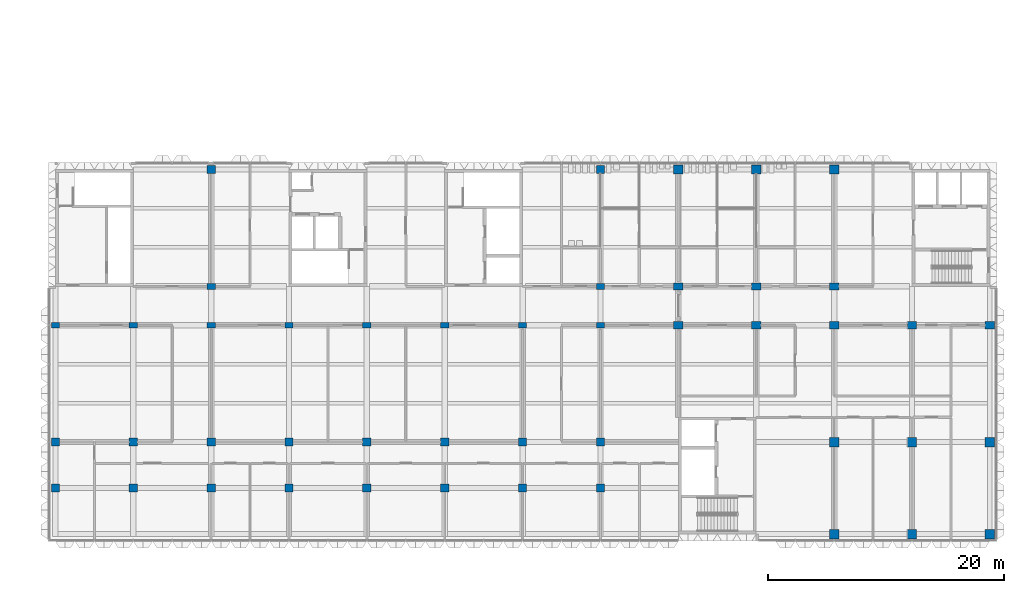
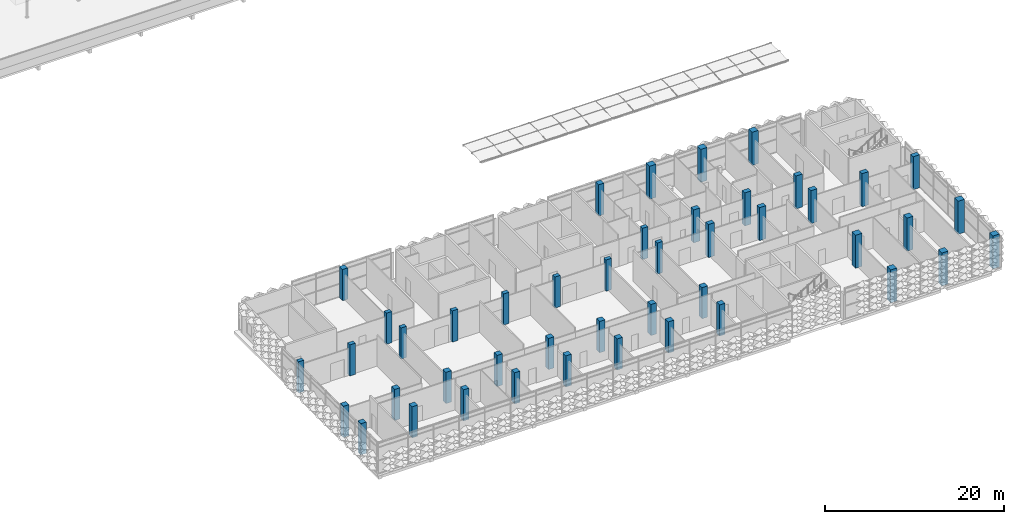
# One storey, part 1 of 61: 45 columns.
"""IFC4 building model written with IfcOpenShell, lengths in metres."""

import ifcopenshell
import ifcopenshell.guid

model = None  # the IFC model being written
_history = None  # IfcOwnerHistory: only IFC2X3 demands one
_inside = {}  # id of a spatial element -> (the spatial element, [elements in it])
_under = {}  # id of a project, library or spatial element -> (it, [spatial elements below it])
_declared = {}  # id of a project -> (the project, [libraries it declares])
_typed = {}  # id of a type object -> (the type object, [elements of that type])
_made_of = {}  # id of a material, layer set ... -> (it, [elements and type objects made of it])


def new_model(schema):
    """Start an empty IFC model of exactly this schema.

    Asked for "IFC4X3", IfcOpenShell would pick the latest addendum, in which some entities
    have other attributes; the version numbers below select the first issue.
    IFC2X3 requires an IfcOwnerHistory on every rooted entity: one is made here for all.
    """
    global model, _history
    if schema == "IFC4X3":
        model = ifcopenshell.file(schema_version=(4, 3, 0, 0))
    else:
        model = ifcopenshell.file(schema=schema)
    _inside.clear()
    _under.clear()
    _declared.clear()
    _typed.clear()
    _made_of.clear()
    _history = None
    if model.schema == "IFC2X3":
        org = make("IfcOrganization", Name="unknown")
        user = make(
            "IfcPersonAndOrganization",
            ThePerson=make("IfcPerson", FamilyName="unknown"),
            TheOrganization=org,
        )
        app = make(
            "IfcApplication",
            ApplicationDeveloper=org,
            Version="unknown",
            ApplicationFullName="unknown",
            ApplicationIdentifier="unknown",
        )
        _history = make(
            "IfcOwnerHistory",
            OwningUser=user,
            OwningApplication=app,
            ChangeAction="ADDED",
            CreationDate=0,
        )
    return model


def make(cls, **values):
    """One entity of the class cls with the attributes given. An attribute that is None is left unset."""
    return model.create_entity(
        cls, **{name: value for name, value in values.items() if value is not None}
    )


def rooted(cls, **values):
    """An entity with a GlobalId (a new one), such as an element, a storey or a relation."""
    return make(cls, GlobalId=ifcopenshell.guid.new(), OwnerHistory=_history, **values)


def si_unit(unit_type, name, prefix=None):
    """IfcSIUnit, for example si_unit("LENGTHUNIT", "METRE", prefix="MILLI")."""
    return make("IfcSIUnit", UnitType=unit_type, Prefix=prefix, Name=name)


def assignment(units):
    """IfcUnitAssignment: the units of a project."""
    return None if units is None else make("IfcUnitAssignment", Units=units)


def point(xyz):
    """IfcCartesianPoint."""
    return None if xyz is None else make("IfcCartesianPoint", Coordinates=xyz)


def direction(xyz):
    """IfcDirection."""
    return None if xyz is None else make("IfcDirection", DirectionRatios=xyz)


def frame(location, z_axis=None, x_axis=None):
    """IfcAxis2Placement3D, a coordinate frame: its origin and axes. An axis left out is left unset."""
    return make(
        "IfcAxis2Placement3D",
        Location=point(location),
        Axis=direction(z_axis),
        RefDirection=direction(x_axis),
    )


def frame_2d(location, x_axis=None):
    """IfcAxis2Placement2D, a coordinate frame in the plane: its origin and x axis."""
    return make(
        "IfcAxis2Placement2D", Location=point(location), RefDirection=direction(x_axis)
    )


def origin():
    """The frame at (0, 0, 0) with its axes left unset."""
    return frame((0.0, 0.0, 0.0))


def origin_2d():
    """The frame at (0, 0) in the plane with its x axis left unset."""
    return frame_2d((0.0, 0.0))


def place(relative_to, where):
    """IfcLocalPlacement: puts the frame where relative to a parent placement (None: the world)."""
    return make(
        "IfcLocalPlacement", PlacementRelTo=relative_to, RelativePlacement=where
    )


def context(
    kind, dimensions, precision=None, world=None, true_north=None, identifier=None
):
    """IfcGeometricRepresentationContext, for example the 3D "Model" context."""
    return make(
        "IfcGeometricRepresentationContext",
        ContextIdentifier=identifier,
        ContextType=kind,
        CoordinateSpaceDimension=dimensions,
        Precision=precision,
        WorldCoordinateSystem=world,
        TrueNorth=true_north,
    )


def subcontext(parent, identifier, kind, view, scale=None):
    """IfcGeometricRepresentationSubContext, for example "Body" below "Model"."""
    return make(
        "IfcGeometricRepresentationSubContext",
        ContextIdentifier=identifier,
        ContextType=kind,
        ParentContext=parent,
        TargetScale=scale,
        TargetView=view,
    )


def project(units=None, contexts=None):
    """IfcProject with its units and contexts."""
    return rooted(
        "IfcProject",
        Name="project",
        RepresentationContexts=contexts,
        UnitsInContext=assignment(units),
    )


def spatial(cls, under=None, at=None, **own):
    """A site, building, storey or space (cls), placed at a placement, below another one or the project."""
    s = rooted(cls, ObjectPlacement=at, **own)
    if under is not None:
        _under.setdefault(under.id(), (under, []))[1].append(s)
    return s


def profile(cls, at=None, kind="AREA", **sizes):
    """A parametric profile (cls). Its sizes go by their IFC names, for example OverallWidth=200.0."""
    return make(cls, ProfileType=kind, Position=at, **sizes)


def rectangle(**sizes):
    """IfcRectangleProfileDef."""
    return profile("IfcRectangleProfileDef", **sizes)


def extrude(swept, where, along, depth):
    """IfcExtrudedAreaSolid: the profile swept, set in the frame where, extruded along a direction by depth."""
    return make(
        "IfcExtrudedAreaSolid",
        SweptArea=swept,
        Position=where,
        ExtrudedDirection=direction(along),
        Depth=depth,
    )


def shape(context_of_items, identifier, shape_type, items):
    """IfcShapeRepresentation: the items that make up one representation, for example the "Body"."""
    return make(
        "IfcShapeRepresentation",
        ContextOfItems=context_of_items,
        RepresentationIdentifier=identifier,
        RepresentationType=shape_type,
        Items=items,
    )


def material(Name=None, Category=None):
    """IfcMaterial."""
    return make("IfcMaterial", Name=Name, Category=Category)


def material_profile(
    of_material, cross_section, Name=None, Category=None, Priority=None
):
    """IfcMaterialProfile: a cross section and its material."""
    return make(
        "IfcMaterialProfile",
        Name=Name,
        Material=of_material,
        Profile=cross_section,
        Priority=Priority,
        Category=Category,
    )


def profile_set(profiles, Name=None, composite=None):
    """IfcMaterialProfileSet."""
    return make(
        "IfcMaterialProfileSet",
        Name=Name,
        MaterialProfiles=profiles,
        CompositeProfile=composite,
    )


def made_of(thing, what):
    """Note that an element or type object is made of a material, layer set ...; save() writes the relation."""
    if what is not None:
        _made_of.setdefault(what.id(), (what, []))[1].append(thing)
    return thing


def type_object(cls, material=None, **own):
    """A type object (cls), such as IfcWallType, which elements share."""
    return made_of(rooted(cls, **own), material)


def element(
    cls,
    number,
    at=None,
    inside=None,
    cuts=None,
    type_object=None,
    material=None,
    context=None,
    identifier="Body",
    shape_type=None,
    held_by="IfcProductDefinitionShape",
    body=None,
    shapes=None,
    **own,
):
    """One element of the class cls, such as IfcWall. Its Tag is "e" and its number.

    at: its placement. inside: the storey or other place that contains it. cuts: it is an
    opening in that element (IfcRelVoidsElement). A single representation is given by context,
    identifier, shape_type and body (its items); several are given by shapes. held_by: the class
    of the entity that holds the representations. save() writes the other relations.
    """
    e = rooted(cls, Tag="e%d" % number, ObjectPlacement=at, **own)
    if body is not None:
        shapes = [shape(context, identifier, shape_type, body)]
    if shapes is not None:
        e.Representation = make(held_by, Representations=shapes)
    if inside is not None:
        _inside.setdefault(inside.id(), (inside, []))[1].append(e)
    if cuts is not None:
        rooted(
            "IfcRelVoidsElement", RelatingBuildingElement=cuts, RelatedOpeningElement=e
        )
    if type_object is not None:
        _typed.setdefault(type_object.id(), (type_object, []))[1].append(e)
    return made_of(e, material)


def aggregate(whole, parts):
    """IfcRelAggregates: a whole, such as a stair, and the parts it consists of."""
    return rooted("IfcRelAggregates", RelatingObject=whole, RelatedObjects=parts)


def save(model, path):
    """Write the relations noted so far, then the file.

    IfcRelAggregates (storeys below a building ...), IfcRelContainedInSpatialStructure (elements
    in a storey), IfcRelDefinesByType, IfcRelAssociatesMaterial and IfcRelDeclares: one each for
    every whole, place, type object, material and project.
    """
    for whole, parts in _under.values():
        aggregate(whole, parts)
    for where, things in _inside.values():
        rooted(
            "IfcRelContainedInSpatialStructure",
            RelatedElements=things,
            RelatingStructure=where,
        )
    for kind, things in _typed.values():
        rooted("IfcRelDefinesByType", RelatedObjects=things, RelatingType=kind)
    for what, things in _made_of.values():
        rooted("IfcRelAssociatesMaterial", RelatedObjects=things, RelatingMaterial=what)
    for by, libraries in _declared.values():
        rooted("IfcRelDeclares", RelatingContext=by, RelatedDefinitions=libraries)
    model.write(path)


model = new_model("IFC4")

# Units and contexts
model_context = context("Model", 3, precision=1e-05, world=origin(), true_north=direction((0.0, 1.0)))
body_context = subcontext(model_context, "Body", "Model", "MODEL_VIEW")
ifc_project = project(units=[si_unit("LENGTHUNIT", "METRE"), si_unit("AREAUNIT", "SQUARE_METRE"), si_unit("VOLUMEUNIT", "CUBIC_METRE"), si_unit("PLANEANGLEUNIT", "RADIAN"), si_unit("MASSUNIT", "GRAM", prefix="KILO")], contexts=[model_context])

# Site, building, storey
site_placement = place(None, origin())
site = spatial("IfcSite", under=ifc_project, at=site_placement, CompositionType="ELEMENT")
building_placement = place(site_placement, origin())
building = spatial("IfcBuilding", under=site, at=building_placement, Name="Lantern Court Research Institute", CompositionType="ELEMENT")
storey_placement = place(building_placement, frame((0.0, 0.0, 23.39990234375)))
storey = spatial("IfcBuildingStorey", under=building, at=storey_placement, Name="L05", CompositionType="ELEMENT", Elevation=23.39990234375)

# Columns
ifc_material_1 = material(Name="Concrete C40/50", Category="concrete")
ifc_material_profile_1 = material_profile(ifc_material_1, rectangle(XDim=0.699951171875, YDim=0.5, at=origin_2d()), Name="RC column 700 x 500")
ifc_profile_set_1 = profile_set([ifc_material_profile_1], Name="Concrete C40/50")
column_type_1 = type_object("IfcColumnType", Name="RC column 700 x 500", PredefinedType="COLUMN", material=ifc_profile_set_1)
for number, where, z_axis, x_axis, name in (
    (1, (0.0, 9.89990234375, 0.0), (0.0, 0.0, 1.0), (1.0, 0.0, 0.0), "Column L05 grid 1/B"),
    (2, (6.60009765625, 9.89990234375, 0.0), (0.0, 0.0, 1.0), (1.0, 0.0, 0.0), "Column L05 grid 2/B"),
    (3, (13.199951171875, 9.89990234375, 0.0), (0.0, 0.0, 1.0), (1.0, 0.0, 0.0), "Column L05 grid 3/B"),
    (4, (13.199951171875, 13.199951171875, 0.0), (0.0, 0.0, 1.0), (1.0, 0.0, 0.0), "Column L05 grid 3/C"),
    (5, (19.800048828125, 9.89990234375, 0.0), (0.0, 0.0, 1.0), (1.0, 0.0, 0.0), "Column L05 grid 4/B"),
    (6, (26.39990234375, 9.89990234375, 0.0), (0.0, 0.0, 1.0), (1.0, 0.0, 0.0), "Column L05 grid 5/B"),
    (7, (33.0, 9.89990234375, 0.0), (0.0, 0.0, 1.0), (1.0, 0.0, 0.0), "Column L05 grid 6/B"),
    (8, (39.60009765625, 9.89990234375, 0.0), (0.0, 0.0, 1.0), (1.0, 0.0, 0.0), "Column L05 grid 7/B"),
    (9, (46.199951171875, 9.89990234375, 0.0), (0.0, 0.0, 1.0), (1.0, 0.0, 0.0), "Column L05 grid 8/B"),
    (10, (46.199951171875, 13.199951171875, 0.0), (0.0, 0.0, 1.0), (1.0, 0.0, 0.0), "Column L05 grid 8/C"),
):
    element("IfcColumn", number, at=place(storey_placement, frame(where, z_axis=z_axis, x_axis=x_axis)), inside=storey, type_object=column_type_1, Name=name, PredefinedType="COLUMN", context=body_context, shape_type="SweptSolid", body=[
        extrude(rectangle(XDim=0.699951171875, YDim=0.5, at=origin_2d()), origin(), (0.0, 0.0, 1.0), 4.25),
    ])
ifc_material_2 = material(Name="Concrete C40/50", Category="concrete")
ifc_material_profile_2 = material_profile(ifc_material_2, rectangle(XDim=0.699951171875, YDim=0.699951171875, at=origin_2d()), Name="RC column 700 x 700")
ifc_profile_set_2 = profile_set([ifc_material_profile_2], Name="Concrete C40/50")
column_type_2 = type_object("IfcColumnType", Name="RC column 700 x 700", PredefinedType="COLUMN", material=ifc_profile_set_2)
for number, where, z_axis, x_axis, name in (
    (11, (0.0, 0.0, 0.0), (0.0, 0.0, 1.0), (1.0, 0.0, 0.0), "Column L05 grid 1/A"),
    (12, (6.60009765625, 0.0, 0.0), (0.0, 0.0, 1.0), (1.0, 0.0, 0.0), "Column L05 grid 2/A"),
    (13, (13.199951171875, 0.0, 0.0), (0.0, 0.0, 1.0), (1.0, 0.0, 0.0), "Column L05 grid 3/A"),
    (14, (13.199951171875, 23.10009765625, 0.0), (0.0, 0.0, 1.0), (1.0, 0.0, 0.0), "Column L05 grid 3/D"),
    (15, (19.800048828125, 0.0, 0.0), (0.0, 0.0, 1.0), (1.0, 0.0, 0.0), "Column L05 grid 4/A"),
    (16, (26.39990234375, 0.0, 0.0), (0.0, 0.0, 1.0), (1.0, 0.0, 0.0), "Column L05 grid 5/A"),
    (17, (33.0, 0.0, 0.0), (0.0, 0.0, 1.0), (1.0, 0.0, 0.0), "Column L05 grid 6/A"),
    (18, (39.60009765625, 0.0, 0.0), (0.0, 0.0, 1.0), (1.0, 0.0, 0.0), "Column L05 grid 7/A"),
    (19, (46.199951171875, 0.0, 0.0), (0.0, 0.0, 1.0), (1.0, 0.0, 0.0), "Column L05 grid 8/A"),
    (20, (46.199951171875, 23.10009765625, 0.0), (0.0, 0.0, 1.0), (1.0, 0.0, 0.0), "Column L05 grid 8/D"),
    (21, (0.0, -3.89990234375, 0.0), (0.0, 0.0, 1.0), (1.0, 0.0, 0.0), "Column L05 grid 1/Y"),
    (22, (6.60009765625, -3.89990234375, 0.0), (0.0, 0.0, 1.0), (1.0, 0.0, 0.0), "Column L05 grid 2/Y"),
    (23, (13.199951171875, -3.89990234375, 0.0), (0.0, 0.0, 1.0), (1.0, 0.0, 0.0), "Column L05 grid 3/Y"),
    (24, (19.800048828125, -3.89990234375, 0.0), (0.0, 0.0, 1.0), (1.0, 0.0, 0.0), "Column L05 grid 4/Y"),
    (25, (26.39990234375, -3.89990234375, 0.0), (0.0, 0.0, 1.0), (1.0, 0.0, 0.0), "Column L05 grid 5/Y"),
    (26, (33.0, -3.89990234375, 0.0), (0.0, 0.0, 1.0), (1.0, 0.0, 0.0), "Column L05 grid 6/Y"),
    (27, (39.60009765625, -3.89990234375, 0.0), (0.0, 0.0, 1.0), (1.0, 0.0, 0.0), "Column L05 grid 7/Y"),
    (28, (46.199951171875, -3.89990234375, 0.0), (0.0, 0.0, 1.0), (1.0, 0.0, 0.0), "Column L05 grid 8/Y"),
):
    element("IfcColumn", number, at=place(storey_placement, frame(where, z_axis=z_axis, x_axis=x_axis)), inside=storey, type_object=column_type_2, Name=name, PredefinedType="COLUMN", context=body_context, shape_type="SweptSolid", body=[
        extrude(rectangle(XDim=0.699951171875, YDim=0.699951171875, at=origin_2d()), origin(), (0.0, 0.0, 1.0), 4.25),
    ])
ifc_material_3 = material(Name="Concrete C40/50", Category="concrete")
ifc_material_profile_3 = material_profile(ifc_material_3, rectangle(XDim=0.800048828125, YDim=0.60009765625, at=origin_2d()), Name="RC column 800 x 600")
ifc_profile_set_3 = profile_set([ifc_material_profile_3], Name="Concrete C40/50")
column_type_3 = type_object("IfcColumnType", Name="RC column 800 x 600", PredefinedType="COLUMN", material=ifc_profile_set_3)
for number, where, z_axis, x_axis, name in (
    (29, (52.800048828125, 9.89990234375, 0.0), (0.0, 0.0, 1.0), (1.0, 0.0, 0.0), "Column L05 grid 9/B"),
    (30, (52.800048828125, 13.199951171875, 0.0), (0.0, 0.0, 1.0), (1.0, 0.0, 0.0), "Column L05 grid 9/C"),
    (31, (59.39990234375, 9.89990234375, 0.0), (0.0, 0.0, 1.0), (1.0, 0.0, 0.0), "Column L05 grid 10/B"),
    (32, (59.39990234375, 13.199951171875, 0.0), (0.0, 0.0, 1.0), (1.0, 0.0, 0.0), "Column L05 grid 10/C"),
    (33, (66.0, 9.89990234375, 0.0), (0.0, 0.0, 1.0), (1.0, 0.0, 0.0), "Column L05 grid 11/B"),
    (34, (66.0, 13.199951171875, 0.0), (0.0, 0.0, 1.0), (1.0, 0.0, 0.0), "Column L05 grid 11/C"),
    (35, (72.60009765625, 9.89990234375, 0.0), (0.0, 0.0, 1.0), (1.0, 0.0, 0.0), "Column L05 grid 12/B"),
    (36, (79.199951171875, 9.89990234375, 0.0), (0.0, 0.0, 1.0), (1.0, 0.0, 0.0), "Column L05 grid 13/B"),
):
    element("IfcColumn", number, at=place(storey_placement, frame(where, z_axis=z_axis, x_axis=x_axis)), inside=storey, type_object=column_type_3, Name=name, PredefinedType="COLUMN", context=body_context, shape_type="SweptSolid", body=[
        extrude(rectangle(XDim=0.800048828125, YDim=0.60009765625, at=origin_2d()), origin(), (0.0, 0.0, 1.0), 4.5),
    ])
ifc_material_4 = material(Name="Concrete C40/50", Category="concrete")
ifc_material_profile_4 = material_profile(ifc_material_4, rectangle(XDim=0.800048828125, YDim=0.800048828125, at=origin_2d()), Name="RC column 800 x 800")
ifc_profile_set_4 = profile_set([ifc_material_profile_4], Name="Concrete C40/50")
column_type_4 = type_object("IfcColumnType", Name="RC column 800 x 800", PredefinedType="COLUMN", material=ifc_profile_set_4)
for number, where, z_axis, x_axis, name in (
    (37, (52.800048828125, 23.10009765625, 0.0), (0.0, 0.0, 1.0), (1.0, 0.0, 0.0), "Column L05 grid 9/D"),
    (38, (59.39990234375, 23.10009765625, 0.0), (0.0, 0.0, 1.0), (1.0, 0.0, 0.0), "Column L05 grid 10/D"),
    (39, (66.0, -7.800048828125, 0.0), (0.0, 0.0, 1.0), (1.0, 0.0, 0.0), "Column L05 grid 11/Z"),
    (40, (66.0, 0.0, 0.0), (0.0, 0.0, 1.0), (1.0, 0.0, 0.0), "Column L05 grid 11/A"),
    (41, (66.0, 23.10009765625, 0.0), (0.0, 0.0, 1.0), (1.0, 0.0, 0.0), "Column L05 grid 11/D"),
    (42, (72.60009765625, -7.800048828125, 0.0), (0.0, 0.0, 1.0), (1.0, 0.0, 0.0), "Column L05 grid 12/Z"),
    (43, (72.60009765625, 0.0, 0.0), (0.0, 0.0, 1.0), (1.0, 0.0, 0.0), "Column L05 grid 12/A"),
    (44, (79.199951171875, -7.800048828125, 0.0), (0.0, 0.0, 1.0), (1.0, 0.0, 0.0), "Column L05 grid 13/Z"),
    (45, (79.199951171875, 0.0, 0.0), (0.0, 0.0, 1.0), (1.0, 0.0, 0.0), "Column L05 grid 13/A"),
):
    element("IfcColumn", number, at=place(storey_placement, frame(where, z_axis=z_axis, x_axis=x_axis)), inside=storey, type_object=column_type_4, Name=name, PredefinedType="COLUMN", context=body_context, shape_type="SweptSolid", body=[
        extrude(rectangle(XDim=0.800048828125, YDim=0.800048828125, at=origin_2d()), origin(), (0.0, 0.0, 1.0), 4.5),
    ])

save(model, "model.ifc")
